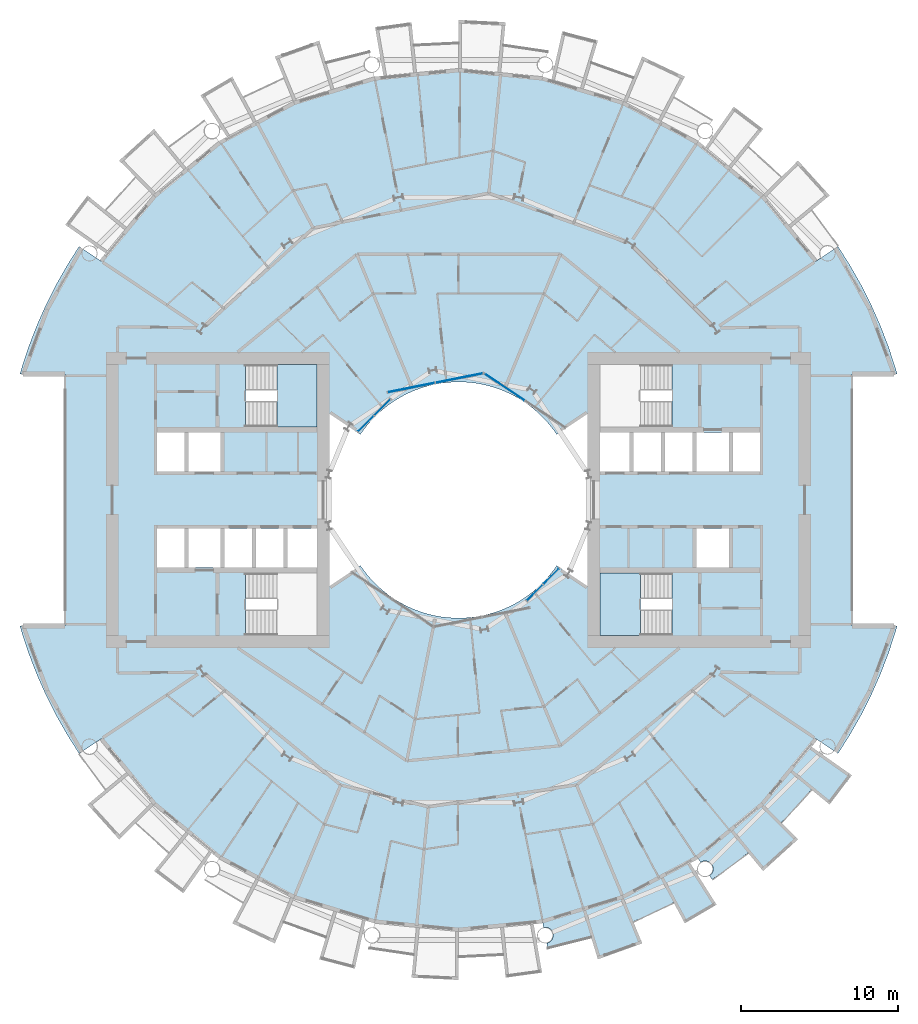
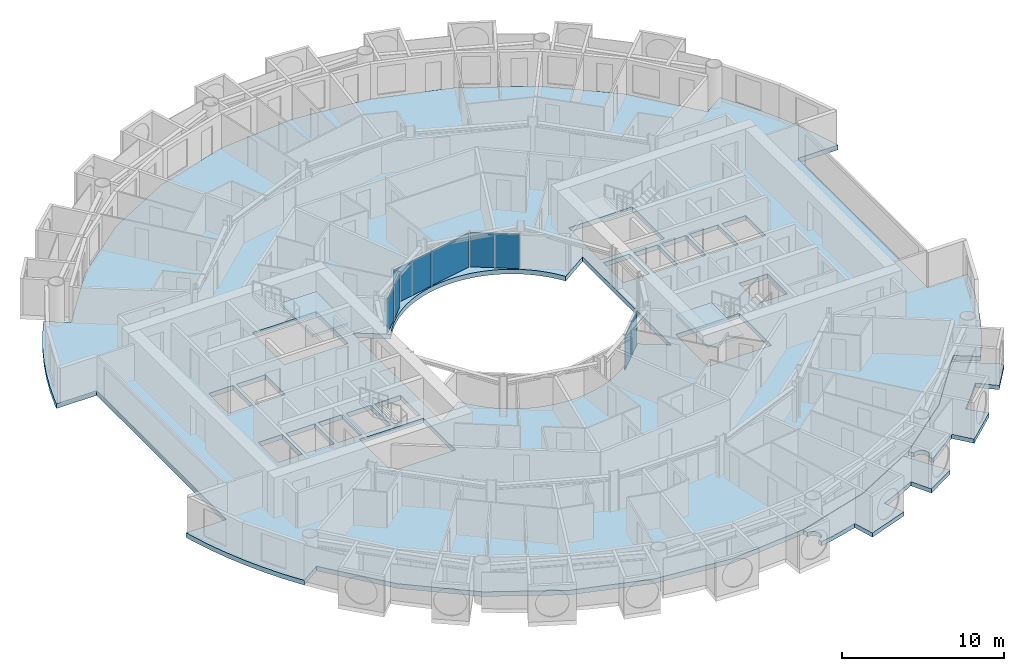
# One storey, part 10 of 26: 7 plates, 5 slabs, 6 elements without a shape of their own.
"""IFC4 building model written with IfcOpenShell, lengths in metres."""

from ifc_helpers import new_model, si_unit, direction, frame, origin, origin_2d, place, context, subcontext, project, spatial, polyline, rectangle, outline, extrude, material, layer, layer_set, type_object, element, aggregate, save


model = new_model("IFC4")

# Units and contexts
model_context = context("Model", 3, precision=1e-05, world=origin(), true_north=direction((0.0, 1.0)))
body_context = subcontext(model_context, "Body", "Model", "MODEL_VIEW")
ifc_project = project(units=[si_unit("LENGTHUNIT", "METRE"), si_unit("AREAUNIT", "SQUARE_METRE"), si_unit("VOLUMEUNIT", "CUBIC_METRE"), si_unit("PLANEANGLEUNIT", "RADIAN"), si_unit("MASSUNIT", "GRAM", prefix="KILO")], contexts=[model_context])

# Site, building, storey
site_placement = place(None, origin())
site = spatial("IfcSite", under=ifc_project, at=site_placement, CompositionType="ELEMENT")
building_placement = place(site_placement, origin())
building = spatial("IfcBuilding", under=site, at=building_placement, Name="Maasbend Ring Residences", CompositionType="ELEMENT")
storey_placement = place(building_placement, frame((0.0, 0.0, 35.0)))
storey = spatial("IfcBuildingStorey", under=building, at=storey_placement, Name="L09", CompositionType="ELEMENT", Elevation=35.0)

# Stair, slab
ifc_material_1 = material(Name="Concrete C40/50", Category="concrete")
stair_type = type_object("IfcStairType", Name="CORE STAIR 18 RISERS", PredefinedType="HALF_TURN_STAIR", material=ifc_material_1)
stair_1_placement = place(storey_placement, origin())
stair_1 = element("IfcStair", 1, at=stair_1_placement, inside=storey, type_object=stair_type, Name="L09 Exit stair ST-E2", PredefinedType="HALF_TURN_STAIR")
ifc_material_2 = material(Name="Concrete C40/50", Category="concrete")
ifc_layer_1 = layer(ifc_material_2, 0.199951171875)
ifc_layer_set_1 = layer_set([ifc_layer_1], Name="Concrete C40/50")
slab_type_1 = type_object("IfcSlabType", Name="CORE STAIR LANDING 200", PredefinedType="LANDING", material=ifc_layer_set_1)
slab_1_placement = place(storey_placement, frame((0.0, 0.0, 1.324951171875)))
slab_1 = element("IfcSlab", 2, at=slab_1_placement, type_object=slab_type_1, Name="ST-E2 landing 1", PredefinedType="LANDING", context=body_context, shape_type="SweptSolid", body=[
    extrude(outline(polyline([(11.550048828125, -4.64990234375), (9.0, -4.64990234375), (9.0, -8.60009765625), (11.550048828125, -8.60009765625), (11.550048828125, -4.64990234375)])), origin(), (0.0, 0.0, 1.0), 0.199951171875),
])
aggregate(stair_1, [slab_1])

stair_2_placement = place(storey_placement, origin())
stair_2 = element("IfcStair", 3, at=stair_2_placement, inside=storey, type_object=stair_type, Name="L09 Exit stair ST-W2", PredefinedType="HALF_TURN_STAIR")
slab_2_placement = place(storey_placement, frame((0.0, 0.0, 1.324951171875)))
slab_2 = element("IfcSlab", 4, at=slab_2_placement, type_object=slab_type_1, Name="ST-W2 landing 1", PredefinedType="LANDING", context=body_context, shape_type="SweptSolid", body=[
    extrude(outline(polyline([(-11.550048828125, 4.64990234375), (-9.0, 4.64990234375), (-9.0, 8.60009765625), (-11.550048828125, 8.60009765625), (-11.550048828125, 4.64990234375)])), origin(), (0.0, 0.0, 1.0), 0.199951171875),
])
aggregate(stair_2, [slab_2])

# Curtain wall, plate
ifc_material_3 = material(Name="Aluminium and clear glass", Category="aluminium")
ifc_layer_2 = layer(ifc_material_3, 0.179931640625)
ifc_layer_set_2 = layer_set([ifc_layer_2], Name="CW-W")
curtain_wall_type = type_object("IfcCurtainWallType", Name="CW-W", PredefinedType="NOTDEFINED", material=ifc_layer_set_2)
curtain_wall_1_placement = place(storey_placement, origin())
curtain_wall_1 = element("IfcCurtainWall", 5, at=curtain_wall_1_placement, inside=storey, type_object=curtain_wall_type, Name="Well curtain wall N1", PredefinedType="NOTDEFINED")
ifc_material_4 = material(Name="Glass clear laminated", Category="glass")
ifc_layer_3 = layer(ifc_material_4, 0.031982421875)
ifc_layer_set_3 = layer_set([ifc_layer_3], Name="CWP-W")
plate_type = type_object("IfcPlateType", Name="CWP-W", PredefinedType="CURTAIN_PANEL", material=ifc_layer_set_3)
plate_1_placement = place(storey_placement, frame((2.922119140625, 7.17578125, 0.0), z_axis=(0.0, 0.0, 1.0), x_axis=(-0.831469612303, 0.55557023302, 0.0)))
plate_1 = element("IfcPlate", 6, at=plate_1_placement, type_object=plate_type, Name="Glass panel well face", PredefinedType="CURTAIN_PANEL", context=body_context, shape_type="SweptSolid", body=[
    extrude(rectangle(XDim=3.053955078125, YDim=0.031982421875, at=origin_2d()), origin(), (0.0, 0.0, 1.0), 2.580078125),
])
aggregate(curtain_wall_1, [plate_1])

# Curtain wall, plates
curtain_wall_2_placement = place(storey_placement, origin())
curtain_wall_2 = element("IfcCurtainWall", 7, at=curtain_wall_2_placement, inside=storey, type_object=curtain_wall_type, Name="Well curtain wall N2", PredefinedType="NOTDEFINED")
plate_2_placement = place(storey_placement, frame((0.04638671875, 7.747802734375, 0.0), z_axis=(0.0, 0.0, 1.0), x_axis=(-0.980785280403, -0.195090322016, 0.0)))
plate_2 = element("IfcPlate", 8, at=plate_2_placement, type_object=plate_type, Name="Glass panel well face", PredefinedType="CURTAIN_PANEL", context=body_context, shape_type="SweptSolid", body=[
    extrude(rectangle(XDim=3.053955078125, YDim=0.031982421875, at=origin_2d()), origin(), (0.0, 0.0, 1.0), 2.580078125),
])
plate_3_placement = place(storey_placement, frame((-3.0078125, 7.140380859375, 0.0), z_axis=(0.0, 0.0, 1.0), x_axis=(-0.980785280403, -0.195090322016, 0.0)))
plate_3 = element("IfcPlate", 9, at=plate_3_placement, type_object=plate_type, Name="Glass panel well face", PredefinedType="CURTAIN_PANEL", context=body_context, shape_type="SweptSolid", body=[
    extrude(rectangle(XDim=3.053955078125, YDim=0.031982421875, at=origin_2d()), origin(), (0.0, 0.0, 1.0), 2.580078125),
])
aggregate(curtain_wall_2, [plate_2, plate_3])

curtain_wall_3_placement = place(storey_placement, origin())
curtain_wall_3 = element("IfcCurtainWall", 10, at=curtain_wall_3_placement, inside=storey, type_object=curtain_wall_type, Name="Well curtain wall N3", PredefinedType="NOTDEFINED")
plate_4_placement = place(storey_placement, frame((-4.84375, 5.89013671875, 0.0), z_axis=(0.0, 0.0, 1.0), x_axis=(-0.707106781187, -0.707106781187, 0.0)))
plate_4 = element("IfcPlate", 11, at=plate_4_placement, type_object=plate_type, Name="Glass panel well face", PredefinedType="CURTAIN_PANEL", context=body_context, shape_type="SweptSolid", body=[
    extrude(rectangle(XDim=1.419677734375, YDim=0.031982421875, at=origin_2d()), origin(), (0.0, 0.0, 1.0), 2.580078125),
])
plate_5_placement = place(storey_placement, frame((-5.89013671875, 4.84375, 0.0), z_axis=(0.0, 0.0, 1.0), x_axis=(-0.707106781187, -0.707106781187, 0.0)))
plate_5 = element("IfcPlate", 12, at=plate_5_placement, type_object=plate_type, Name="Glass panel well face", PredefinedType="CURTAIN_PANEL", context=body_context, shape_type="SweptSolid", body=[
    extrude(rectangle(XDim=1.419677734375, YDim=0.031982421875, at=origin_2d()), origin(), (0.0, 0.0, 1.0), 2.580078125),
])
aggregate(curtain_wall_3, [plate_4, plate_5])

curtain_wall_4_placement = place(storey_placement, origin())
curtain_wall_4 = element("IfcCurtainWall", 13, at=curtain_wall_4_placement, inside=storey, type_object=curtain_wall_type, Name="Well curtain wall S3", PredefinedType="NOTDEFINED")
plate_6_placement = place(storey_placement, frame((4.84375, -5.89013671875, 0.0), z_axis=(0.0, 0.0, 1.0), x_axis=(0.707106781187, 0.707106781187, 0.0)))
plate_6 = element("IfcPlate", 14, at=plate_6_placement, type_object=plate_type, Name="Glass panel well face", PredefinedType="CURTAIN_PANEL", context=body_context, shape_type="SweptSolid", body=[
    extrude(rectangle(XDim=1.419677734375, YDim=0.031982421875, at=origin_2d()), origin(), (0.0, 0.0, 1.0), 2.580078125),
])
plate_7_placement = place(storey_placement, frame((5.89013671875, -4.84375, 0.0), z_axis=(0.0, 0.0, 1.0), x_axis=(0.707106781187, 0.707106781187, 0.0)))
plate_7 = element("IfcPlate", 15, at=plate_7_placement, type_object=plate_type, Name="Glass panel well face", PredefinedType="CURTAIN_PANEL", context=body_context, shape_type="SweptSolid", body=[
    extrude(rectangle(XDim=1.419677734375, YDim=0.031982421875, at=origin_2d()), origin(), (0.0, 0.0, 1.0), 2.580078125),
])
aggregate(curtain_wall_4, [plate_6, plate_7])

# Slabs
ifc_material_5 = material(Name="Concrete C40/50", Category="concrete")
ifc_layer_4 = layer(ifc_material_5, 0.35009765625)
ifc_layer_set_4 = layer_set([ifc_layer_4], Name="Concrete C40/50")
slab_type_2 = type_object("IfcSlabType", Name="Post-tensioned flat plate 350", PredefinedType="FLOOR", material=ifc_layer_set_4)
slab_3_placement = place(storey_placement, frame((0.0, 0.0, -0.35009765625)))
element("IfcSlab", 16, at=slab_3_placement, inside=storey, type_object=slab_type_2, Name="Floor slab L09", PredefinedType="FLOOR", context=body_context, shape_type="SweptSolid", body=[
    extrude(outline(polyline([(24.8740234375, -14.908935546875), (25.57568359375, -13.67041015625), (26.2158203125, -12.399169921875), (26.79248046875, -11.097900390625), (27.3046875, -9.769775390625), (27.751220703125, -8.418212890625), (27.866943359375, -8.0), (25.0, -8.0), (25.0, 8.0), (27.866943359375, 8.0), (27.751220703125, 8.418212890625), (27.3046875, 9.769775390625), (26.79248046875, 11.097900390625), (26.2158203125, 12.399169921875), (25.57568359375, 13.67041015625), (24.8740234375, 14.908935546875), (24.112548828125, 16.111572265625), (22.69921875, 15.1669921875), (19.303955078125, 19.303955078125), (15.1669921875, 22.69921875), (10.447265625, 25.221923828125), (5.325927734375, 26.775390625), (0.0, 27.300048828125), (-5.325927734375, 26.775390625), (-10.447265625, 25.221923828125), (-15.1669921875, 22.69921875), (-19.303955078125, 19.303955078125), (-22.69921875, 15.1669921875), (-24.112548828125, 16.111572265625), (-24.8740234375, 14.908935546875), (-25.57568359375, 13.67041015625), (-26.2158203125, 12.399169921875), (-26.79248046875, 11.097900390625), (-27.3046875, 9.769775390625), (-27.751220703125, 8.418212890625), (-27.866943359375, 8.0), (-25.0, 8.0), (-25.0, -8.0), (-27.866943359375, -8.0), (-27.751220703125, -8.418212890625), (-27.3046875, -9.769775390625), (-26.79248046875, -11.097900390625), (-26.2158203125, -12.399169921875), (-25.57568359375, -13.67041015625), (-24.8740234375, -14.908935546875), (-24.112548828125, -16.111572265625), (-22.69921875, -15.1669921875), (-19.303955078125, -19.303955078125), (-15.1669921875, -22.69921875), (-10.447265625, -25.221923828125), (-5.325927734375, -26.775390625), (0.0, -27.300048828125), (5.325927734375, -26.775390625), (10.447265625, -25.221923828125), (15.1669921875, -22.69921875), (19.303955078125, -19.303955078125), (22.69921875, -15.1669921875), (24.112548828125, -16.111572265625), (24.8740234375, -14.908935546875)]), holes=[polyline([(17.425048828125, 4.27490234375), (19.14990234375, 4.27490234375), (19.14990234375, 1.824951171875), (17.425048828125, 1.824951171875), (17.425048828125, 4.27490234375)]), polyline([(15.125, 1.824951171875), (15.125, 4.27490234375), (17.175048828125, 4.27490234375), (17.175048828125, 1.824951171875), (15.125, 1.824951171875)]), polyline([(15.125, -4.27490234375), (15.125, -1.824951171875), (17.175048828125, -1.824951171875), (17.175048828125, -4.27490234375), (15.125, -4.27490234375)]), polyline([(13.125, 1.824951171875), (13.125, 4.27490234375), (14.875, 4.27490234375), (14.875, 1.824951171875), (13.125, 1.824951171875)]), polyline([(13.550048828125, 4.64990234375), (9.0, 4.64990234375), (9.0, 8.60009765625), (13.550048828125, 8.60009765625), (13.550048828125, 4.64990234375)]), polyline([(13.550048828125, -4.64990234375), (13.550048828125, -8.60009765625), (9.0, -8.60009765625), (9.0, -4.64990234375), (13.550048828125, -4.64990234375)]), polyline([(11.125, 1.824951171875), (11.125, 4.27490234375), (12.875, 4.27490234375), (12.875, 1.824951171875), (11.125, 1.824951171875)]), polyline([(9.0, 1.824951171875), (9.0, 4.27490234375), (10.875, 4.27490234375), (10.875, 1.824951171875), (9.0, 1.824951171875)]), polyline([(6.024169921875, 4.4677734375), (6.236083984375, 4.166748046875), (8.199951171875, 5.47900390625), (8.199951171875, -5.47900390625), (6.236083984375, -4.166748046875), (6.024169921875, -4.4677734375), (5.797607421875, -4.7578125), (5.55712890625, -5.03662109375), (5.30322265625, -5.30322265625), (5.03662109375, -5.55712890625), (4.7578125, -5.797607421875), (4.4677734375, -6.024169921875), (4.166748046875, -6.236083984375), (3.855712890625, -6.43310546875), (3.535400390625, -6.614501953125), (3.206787109375, -6.77978515625), (2.8701171875, -6.92919921875), (2.526611328125, -7.0615234375), (2.177001953125, -7.177001953125), (1.822509765625, -7.275146484375), (1.463134765625, -7.35595703125), (1.1005859375, -7.418701171875), (0.735107421875, -7.4638671875), (0.367919921875, -7.490966796875), (0.0, -7.5), (-0.367919921875, -7.490966796875), (-0.735107421875, -7.4638671875), (-1.1005859375, -7.418701171875), (-1.463134765625, -7.35595703125), (-1.822509765625, -7.275146484375), (-2.177001953125, -7.177001953125), (-2.526611328125, -7.0615234375), (-2.8701171875, -6.92919921875), (-3.206787109375, -6.77978515625), (-3.535400390625, -6.614501953125), (-3.855712890625, -6.43310546875), (-4.166748046875, -6.236083984375), (-4.4677734375, -6.024169921875), (-4.7578125, -5.797607421875), (-5.03662109375, -5.55712890625), (-5.30322265625, -5.30322265625), (-5.55712890625, -5.03662109375), (-5.797607421875, -4.7578125), (-6.024169921875, -4.4677734375), (-6.236083984375, -4.166748046875), (-8.199951171875, -5.47900390625), (-8.199951171875, 5.47900390625), (-6.236083984375, 4.166748046875), (-6.236083984375, 4.166748046875), (-6.024169921875, 4.4677734375), (-5.797607421875, 4.7578125), (-5.55712890625, 5.03662109375), (-5.30322265625, 5.30322265625), (-5.03662109375, 5.55712890625), (-4.7578125, 5.797607421875), (-4.4677734375, 6.024169921875), (-4.166748046875, 6.236083984375), (-3.855712890625, 6.43310546875), (-3.535400390625, 6.614501953125), (-3.206787109375, 6.77978515625), (-2.8701171875, 6.92919921875), (-2.526611328125, 7.0615234375), (-2.177001953125, 7.177001953125), (-1.822509765625, 7.275146484375), (-1.463134765625, 7.35595703125), (-1.1005859375, 7.418701171875), (-0.735107421875, 7.4638671875), (-0.367919921875, 7.490966796875), (0.0, 7.5), (0.367919921875, 7.490966796875), (0.735107421875, 7.4638671875), (1.1005859375, 7.418701171875), (1.463134765625, 7.35595703125), (1.822509765625, 7.275146484375), (2.177001953125, 7.177001953125), (2.526611328125, 7.0615234375), (2.8701171875, 6.92919921875), (3.206787109375, 6.77978515625), (3.535400390625, 6.614501953125), (3.855712890625, 6.43310546875), (4.166748046875, 6.236083984375), (4.4677734375, 6.024169921875), (4.7578125, 5.797607421875), (5.03662109375, 5.55712890625), (5.30322265625, 5.30322265625), (5.55712890625, 5.03662109375), (5.797607421875, 4.7578125), (6.024169921875, 4.4677734375)]), polyline([(-13.550048828125, 4.64990234375), (-13.550048828125, 8.60009765625), (-9.0, 8.60009765625), (-9.0, 4.64990234375), (-13.550048828125, 4.64990234375)]), polyline([(-13.550048828125, -8.60009765625), (-13.550048828125, -4.64990234375), (-9.0, -4.64990234375), (-9.0, -8.60009765625), (-13.550048828125, -8.60009765625)]), polyline([(-9.0, -1.824951171875), (-9.0, -4.27490234375), (-10.875, -4.27490234375), (-10.875, -1.824951171875), (-9.0, -1.824951171875)]), polyline([(-11.125, -1.824951171875), (-11.125, -4.27490234375), (-12.875, -4.27490234375), (-12.875, -1.824951171875), (-11.125, -1.824951171875)]), polyline([(-13.125, -1.824951171875), (-13.125, -4.27490234375), (-14.875, -4.27490234375), (-14.875, -1.824951171875), (-13.125, -1.824951171875)]), polyline([(-15.125, 4.27490234375), (-15.125, 1.824951171875), (-17.175048828125, 1.824951171875), (-17.175048828125, 4.27490234375), (-15.125, 4.27490234375)]), polyline([(-15.125, -1.824951171875), (-15.125, -4.27490234375), (-17.175048828125, -4.27490234375), (-17.175048828125, -1.824951171875), (-15.125, -1.824951171875)]), polyline([(-17.425048828125, -1.824951171875), (-17.425048828125, -4.27490234375), (-19.14990234375, -4.27490234375), (-19.14990234375, -1.824951171875), (-17.425048828125, -1.824951171875)]), polyline([(-17.425048828125, 4.27490234375), (-17.425048828125, 1.824951171875), (-19.14990234375, 1.824951171875), (-19.14990234375, 4.27490234375), (-17.425048828125, 4.27490234375)])]), origin(), (0.0, 0.0, 1.0), 0.35009765625),
])
ifc_material_6 = material(Name="Concrete C40/50", Category="concrete")
ifc_layer_5 = layer(ifc_material_6, 0.199951171875)
ifc_layer_set_5 = layer_set([ifc_layer_5], Name="Concrete C40/50")
slab_type_3 = type_object("IfcSlabType", Name="SL-LOGGIA", PredefinedType="FLOOR", material=ifc_layer_set_5)
slab_4_placement = place(storey_placement, frame((0.0, 0.0, -0.35009765625)))
element("IfcSlab", 17, at=slab_4_placement, inside=storey, type_object=slab_type_3, Name="Loggia floor 2", PredefinedType="FLOOR", context=body_context, shape_type="SweptSolid", body=[
    extrude(outline(polyline([(10.447021484375, -25.221923828125), (12.806884765625, -23.9609375), (14.64599609375, -22.97705078125), (14.64599609375, -22.97705078125), (14.64599609375, -22.97705078125), (16.39404296875, -25.718994140625), (16.39404296875, -25.718994140625), (16.39404296875, -25.718994140625), (14.3779296875, -26.89892578125), (14.3779296875, -26.89892578125), (14.3779296875, -26.89892578125), (13.6708984375, -25.575927734375), (13.6708984375, -25.575927734375), (13.6708984375, -25.575927734375), (13.6708984375, -25.575927734375), (13.6708984375, -25.575927734375), (13.6708984375, -25.575927734375), (13.6708984375, -25.575927734375), (13.669921875, -25.575927734375), (13.669921875, -25.575927734375), (13.669921875, -25.575927734375), (13.669921875, -25.575927734375), (13.669921875, -25.575927734375), (13.669921875, -25.575927734375), (13.669921875, -25.575927734375), (13.669921875, -25.575927734375), (13.669921875, -25.575927734375), (13.669921875, -25.575927734375), (12.825927734375, -26.009033203125), (12.825927734375, -26.009033203125), (11.968994140625, -26.4150390625), (11.968994140625, -26.4150390625), (11.097900390625, -26.7919921875), (11.097900390625, -26.7919921875), (11.097900390625, -26.7919921875), (11.097900390625, -26.7919921875), (11.097900390625, -26.7919921875), (11.097900390625, -26.7919921875), (11.097900390625, -26.7919921875), (11.097900390625, -26.79296875), (11.097900390625, -26.79296875), (11.097900390625, -26.79296875), (11.097900390625, -26.79296875), (11.097900390625, -26.79296875), (11.097900390625, -26.79296875), (11.097900390625, -26.79296875), (11.097900390625, -26.79296875), (11.097900390625, -26.79296875), (11.097900390625, -26.79296875), (11.672119140625, -28.177978515625), (11.672119140625, -28.177978515625), (11.672119140625, -28.177978515625), (8.85400390625, -29.18701171875), (8.85400390625, -29.18701171875), (8.85400390625, -29.18701171875), (8.41796875, -27.751953125), (8.41796875, -27.751953125), (8.41796875, -27.751953125), (8.41796875, -27.751953125), (8.41796875, -27.751953125), (8.41796875, -27.751953125), (8.41796875, -27.751953125), (8.41796875, -27.7509765625), (8.41796875, -27.7509765625), (8.41796875, -27.7509765625), (8.41796875, -27.7509765625), (8.41796875, -27.7509765625), (8.41796875, -27.7509765625), (8.41796875, -27.7509765625), (8.41796875, -27.7509765625), (8.41796875, -27.7509765625), (8.41796875, -27.7509765625), (7.506103515625, -28.011962890625), (7.506103515625, -28.011962890625), (6.5849609375, -28.241943359375), (6.5849609375, -28.241943359375), (5.657958984375, -28.443115234375), (5.657958984375, -28.443115234375), (5.657958984375, -28.443115234375), (5.60107421875, -28.156005859375), (5.613037109375, -28.154052734375), (5.625, -28.15087890625), (5.636962890625, -28.14794921875), (5.64892578125, -28.14404296875), (5.660888671875, -28.139892578125), (5.673095703125, -28.135986328125), (5.68408203125, -28.132080078125), (5.696044921875, -28.126953125), (5.70703125, -28.123046875), (5.718994140625, -28.116943359375), (5.72998046875, -28.112060546875), (5.740966796875, -28.10595703125), (5.751953125, -28.10009765625), (5.762939453125, -28.093994140625), (5.77294921875, -28.0869140625), (5.783935546875, -28.080078125), (5.7939453125, -28.072998046875), (5.803955078125, -28.06591796875), (5.81396484375, -28.05908203125), (5.823974609375, -28.051025390625), (5.8330078125, -28.04296875), (5.843017578125, -28.034912109375), (5.85205078125, -28.02587890625), (5.861083984375, -28.01708984375), (5.868896484375, -28.008056640625), (5.8779296875, -27.9990234375), (5.885986328125, -27.989990234375), (5.89404296875, -27.97998046875), (5.902099609375, -27.970947265625), (5.909912109375, -27.9609375), (5.9169921875, -27.950927734375), (5.924072265625, -27.93994140625), (5.930908203125, -27.929931640625), (5.93701171875, -27.9189453125), (5.944091796875, -27.907958984375), (5.949951171875, -27.89794921875), (5.955078125, -27.886962890625), (5.9609375, -27.875), (5.966064453125, -27.864013671875), (5.970947265625, -27.85302734375), (5.97509765625, -27.841064453125), (5.97998046875, -27.8291015625), (5.98388671875, -27.81689453125), (5.988037109375, -27.805908203125), (5.990966796875, -27.7939453125), (5.993896484375, -27.781982421875), (5.9970703125, -27.76904296875), (6.0, -27.757080078125), (6.001953125, -27.7451171875), (6.00390625, -27.73291015625), (6.006103515625, -27.719970703125), (6.007080078125, -27.7080078125), (6.008056640625, -27.695068359375), (6.009033203125, -27.68310546875), (6.009033203125, -27.6708984375), (6.010009765625, -27.657958984375), (6.009033203125, -27.64599609375), (6.009033203125, -27.633056640625), (6.008056640625, -27.62109375), (6.007080078125, -27.60791015625), (6.006103515625, -27.595947265625), (6.00390625, -27.583984375), (6.001953125, -27.571044921875), (6.0, -27.55908203125), (5.9970703125, -27.547119140625), (5.993896484375, -27.534912109375), (5.990966796875, -27.52294921875), (5.988037109375, -27.510986328125), (5.98388671875, -27.4990234375), (5.97998046875, -27.487060546875), (5.97509765625, -27.47509765625), (5.970947265625, -27.464111328125), (5.966064453125, -27.451904296875), (5.9609375, -27.44091796875), (5.955078125, -27.429931640625), (5.949951171875, -27.4189453125), (5.944091796875, -27.407958984375), (5.93701171875, -27.39697265625), (5.930908203125, -27.385986328125), (5.924072265625, -27.3759765625), (5.9169921875, -27.365966796875), (5.909912109375, -27.35498046875), (5.902099609375, -27.345947265625), (5.89404296875, -27.3359375), (5.885986328125, -27.325927734375), (5.8779296875, -27.31689453125), (5.868896484375, -27.30810546875), (5.861083984375, -27.299072265625), (5.85205078125, -27.2900390625), (5.843017578125, -27.281982421875), (5.8330078125, -27.27294921875), (5.823974609375, -27.264892578125), (5.81396484375, -27.258056640625), (5.803955078125, -27.25), (5.7939453125, -27.242919921875), (5.783935546875, -27.236083984375), (5.77294921875, -27.22900390625), (5.762939453125, -27.221923828125), (5.751953125, -27.216064453125), (5.740966796875, -27.2099609375), (5.72998046875, -27.2041015625), (5.718994140625, -27.198974609375), (5.70703125, -27.194091796875), (5.696044921875, -27.18896484375), (5.68408203125, -27.18408203125), (5.673095703125, -27.179931640625), (5.660888671875, -27.176025390625), (5.64892578125, -27.172119140625), (5.636962890625, -27.1689453125), (5.625, -27.1650390625), (5.613037109375, -27.162109375), (5.60107421875, -27.159912109375), (5.587890625, -27.157958984375), (5.575927734375, -27.156005859375), (5.56396484375, -27.154052734375), (5.551025390625, -27.153076171875), (5.5390625, -27.15087890625), (5.52587890625, -27.15087890625), (5.513916015625, -27.14990234375), (5.501953125, -27.14990234375), (5.489013671875, -27.14990234375), (5.47705078125, -27.15087890625), (5.464111328125, -27.15087890625), (5.451904296875, -27.153076171875), (5.43896484375, -27.154052734375), (5.427001953125, -27.156005859375), (5.4150390625, -27.157958984375), (5.402099609375, -27.159912109375), (5.325927734375, -26.77490234375), (5.325927734375, -26.77490234375), (5.325927734375, -26.77490234375), (7.886962890625, -25.9990234375), (10.447021484375, -25.221923828125), (10.447021484375, -25.221923828125), (10.447021484375, -25.221923828125)])), origin(), (0.0, 0.0, 1.0), 0.320068359375),
])
slab_5_placement = place(storey_placement, frame((0.0, 0.0, -0.35009765625)))
element("IfcSlab", 18, at=slab_5_placement, inside=storey, type_object=slab_type_3, Name="Loggia floor 5", PredefinedType="FLOOR", context=body_context, shape_type="SweptSolid", body=[
    extrude(outline(polyline([(19.303955078125, -19.303955078125), (21.001953125, -17.236083984375), (22.324951171875, -15.623046875), (22.324951171875, -15.623046875), (22.324951171875, -15.623046875), (24.989013671875, -17.488037109375), (24.989013671875, -17.488037109375), (24.989013671875, -17.488037109375), (23.576904296875, -19.34912109375), (23.576904296875, -19.34912109375), (23.576904296875, -19.34912109375), (22.41796875, -18.39794921875), (22.41796875, -18.39794921875), (22.41796875, -18.39794921875), (22.41796875, -18.39794921875), (22.41796875, -18.39794921875), (22.4169921875, -18.39794921875), (22.4169921875, -18.39794921875), (22.4169921875, -18.39794921875), (22.4169921875, -18.39794921875), (22.4169921875, -18.39794921875), (22.4169921875, -18.39794921875), (22.4169921875, -18.39794921875), (22.4169921875, -18.39794921875), (22.4169921875, -18.39794921875), (22.4169921875, -18.39794921875), (22.4169921875, -18.39794921875), (22.4169921875, -18.39794921875), (21.802978515625, -19.12109375), (21.802978515625, -19.12109375), (21.166015625, -19.823974609375), (21.166015625, -19.823974609375), (20.506103515625, -20.506103515625), (20.506103515625, -20.506103515625), (20.506103515625, -20.506103515625), (20.506103515625, -20.506103515625), (20.506103515625, -20.506103515625), (20.506103515625, -20.506103515625), (20.506103515625, -20.506103515625), (20.506103515625, -20.506103515625), (20.506103515625, -20.506103515625), (20.506103515625, -20.506103515625), (20.506103515625, -20.506103515625), (20.506103515625, -20.506103515625), (20.506103515625, -20.506103515625), (20.506103515625, -20.506103515625), (20.506103515625, -20.506103515625), (20.506103515625, -20.506103515625), (20.506103515625, -20.506103515625), (21.56689453125, -21.56689453125), (21.56689453125, -21.56689453125), (21.56689453125, -21.56689453125), (19.34912109375, -23.576904296875), (19.34912109375, -23.576904296875), (19.34912109375, -23.576904296875), (18.39794921875, -22.41796875), (18.39794921875, -22.41796875), (18.39794921875, -22.41796875), (18.39794921875, -22.41796875), (18.39794921875, -22.41796875), (18.39794921875, -22.41796875), (18.39697265625, -22.41796875), (18.39697265625, -22.41796875), (18.39697265625, -22.41796875), (18.39697265625, -22.41796875), (18.39697265625, -22.41796875), (18.39697265625, -22.41796875), (18.39697265625, -22.41796875), (18.39697265625, -22.41796875), (18.39697265625, -22.41796875), (18.39697265625, -22.41796875), (18.39697265625, -22.41796875), (17.654052734375, -23.007080078125), (17.654052734375, -23.007080078125), (16.89208984375, -23.572998046875), (16.89208984375, -23.572998046875), (16.112060546875, -24.113037109375), (16.112060546875, -24.113037109375), (16.112060546875, -24.113037109375), (15.948974609375, -23.8701171875), (15.948974609375, -23.8701171875), (15.9599609375, -23.863037109375), (15.969970703125, -23.85498046875), (15.97998046875, -23.847900390625), (15.989013671875, -23.840087890625), (15.9990234375, -23.83203125), (16.008056640625, -23.823974609375), (16.01708984375, -23.81494140625), (16.02587890625, -23.806884765625), (16.034912109375, -23.798095703125), (16.0439453125, -23.7890625), (16.052001953125, -23.779052734375), (16.06005859375, -23.77001953125), (16.068115234375, -23.760009765625), (16.074951171875, -23.75), (16.08203125, -23.739990234375), (16.089111328125, -23.72998046875), (16.095947265625, -23.718994140625), (16.10302734375, -23.708984375), (16.10888671875, -23.697998046875), (16.114990234375, -23.68701171875), (16.12109375, -23.676025390625), (16.1259765625, -23.6650390625), (16.132080078125, -23.653076171875), (16.135986328125, -23.64208984375), (16.14111328125, -23.6298828125), (16.14501953125, -23.618896484375), (16.14892578125, -23.60693359375), (16.153076171875, -23.594970703125), (16.156982421875, -23.5830078125), (16.159912109375, -23.571044921875), (16.1630859375, -23.55908203125), (16.1650390625, -23.547119140625), (16.16796875, -23.533935546875), (16.169921875, -23.52197265625), (16.1708984375, -23.510009765625), (16.173095703125, -23.4970703125), (16.174072265625, -23.485107421875), (16.174072265625, -23.471923828125), (16.175048828125, -23.4599609375), (16.175048828125, -23.447021484375), (16.175048828125, -23.43505859375), (16.174072265625, -23.422119140625), (16.174072265625, -23.409912109375), (16.173095703125, -23.39794921875), (16.1708984375, -23.385009765625), (16.169921875, -23.373046875), (16.16796875, -23.361083984375), (16.1650390625, -23.347900390625), (16.1630859375, -23.3359375), (16.159912109375, -23.323974609375), (16.156982421875, -23.31201171875), (16.153076171875, -23.300048828125), (16.14892578125, -23.2880859375), (16.14501953125, -23.27587890625), (16.14111328125, -23.264892578125), (16.135986328125, -23.2529296875), (16.132080078125, -23.241943359375), (16.1259765625, -23.22998046875), (16.12109375, -23.218994140625), (16.114990234375, -23.2080078125), (16.10888671875, -23.197021484375), (16.10302734375, -23.18603515625), (16.095947265625, -23.176025390625), (16.089111328125, -23.1650390625), (16.08203125, -23.155029296875), (16.074951171875, -23.14501953125), (16.068115234375, -23.135009765625), (16.06005859375, -23.125), (16.052001953125, -23.115966796875), (16.0439453125, -23.10595703125), (16.034912109375, -23.096923828125), (16.02587890625, -23.087890625), (16.01708984375, -23.0791015625), (16.008056640625, -23.071044921875), (15.9990234375, -23.06298828125), (15.989013671875, -23.054931640625), (15.97998046875, -23.047119140625), (15.969970703125, -23.0390625), (15.9599609375, -23.031982421875), (15.948974609375, -23.02490234375), (15.93896484375, -23.01806640625), (15.927978515625, -23.011962890625), (15.9169921875, -23.0048828125), (15.906982421875, -22.9990234375), (15.89599609375, -22.993896484375), (15.884033203125, -22.988037109375), (15.873046875, -22.98291015625), (15.862060546875, -22.97802734375), (15.85009765625, -22.972900390625), (15.837890625, -22.968994140625), (15.825927734375, -22.965087890625), (15.81494140625, -22.9609375), (15.802978515625, -22.9580078125), (15.791015625, -22.955078125), (15.778076171875, -22.951904296875), (15.76611328125, -22.948974609375), (15.75390625, -22.947021484375), (15.741943359375, -22.945068359375), (15.72900390625, -22.943115234375), (15.717041015625, -22.94189453125), (15.7041015625, -22.94091796875), (15.69189453125, -22.93994140625), (15.679931640625, -22.93994140625), (15.6669921875, -22.93896484375), (15.655029296875, -22.93994140625), (15.64208984375, -22.93994140625), (15.6298828125, -22.94091796875), (15.616943359375, -22.94189453125), (15.60498046875, -22.943115234375), (15.593017578125, -22.945068359375), (15.580078125, -22.947021484375), (15.568115234375, -22.948974609375), (15.555908203125, -22.951904296875), (15.5439453125, -22.955078125), (15.531982421875, -22.9580078125), (15.52001953125, -22.9609375), (15.508056640625, -22.965087890625), (15.49609375, -22.968994140625), (15.48388671875, -22.972900390625), (15.472900390625, -22.97802734375), (15.4609375, -22.98291015625), (15.449951171875, -22.988037109375), (15.43896484375, -22.993896484375), (15.427978515625, -22.9990234375), (15.4169921875, -23.0048828125), (15.406005859375, -23.011962890625), (15.39501953125, -23.01806640625), (15.385009765625, -23.02490234375), (15.385009765625, -23.02490234375), (15.1669921875, -22.698974609375), (15.1669921875, -22.698974609375), (15.1669921875, -22.698974609375), (17.236083984375, -21.001953125), (19.303955078125, -19.303955078125), (19.303955078125, -19.303955078125), (19.303955078125, -19.303955078125)])), origin(), (0.0, 0.0, 1.0), 0.320068359375),
])

save(model, "model.ifc")
